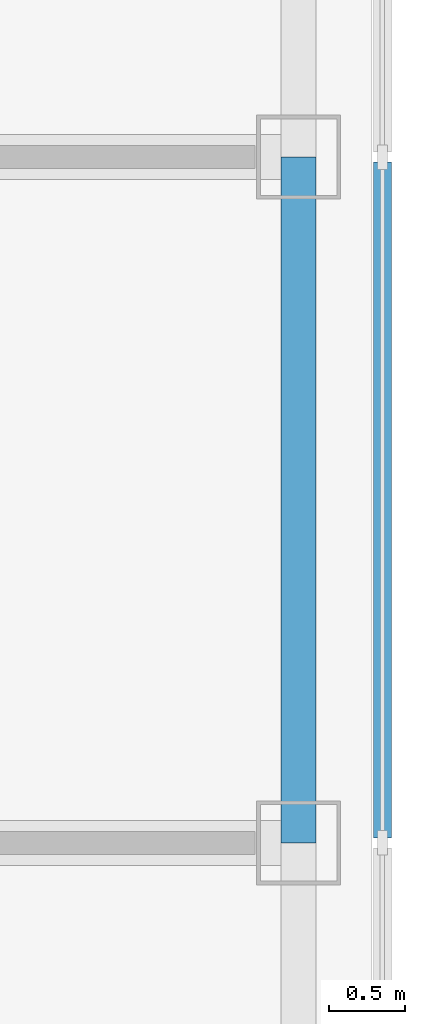
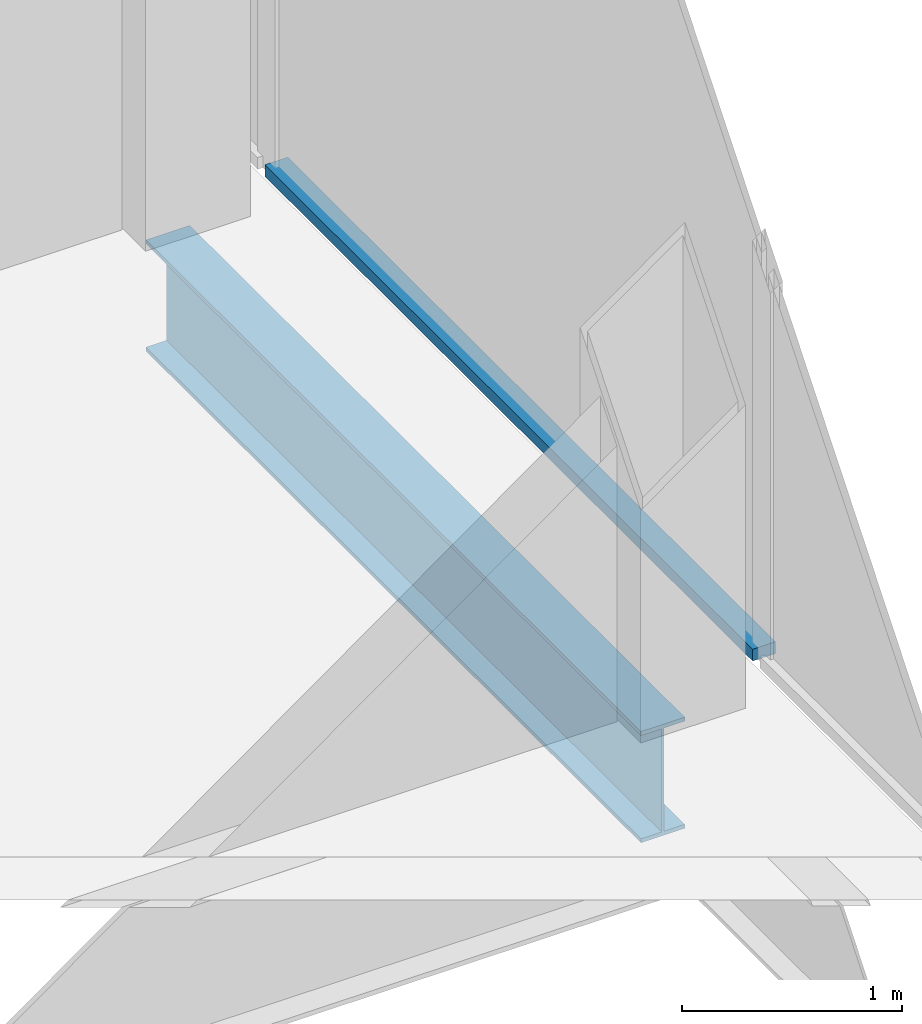
# One storey, part 5 of 14: 1 beam, 1 member, 1 element without a shape of its own.
"""IFC4 building model written with IfcOpenShell, lengths in metres."""

from ifc_helpers import new_model, si_unit, direction, frame, origin, origin_2d, place, context, subcontext, project, spatial, rectangle, i_section, extrude, material, material_profile, profile_set, type_object, element, aggregate, save


model = new_model("IFC4")

# Units and contexts
model_context = context("Model", 3, precision=1e-05, world=origin(), true_north=direction((0.0, 1.0)))
body_context = subcontext(model_context, "Body", "Model", "MODEL_VIEW")
ifc_project = project(units=[si_unit("LENGTHUNIT", "METRE"), si_unit("AREAUNIT", "SQUARE_METRE"), si_unit("VOLUMEUNIT", "CUBIC_METRE"), si_unit("PLANEANGLEUNIT", "RADIAN"), si_unit("MASSUNIT", "GRAM", prefix="KILO")], contexts=[model_context])

# Site, building, storey
site_placement = place(None, origin())
site = spatial("IfcSite", under=ifc_project, at=site_placement, CompositionType="ELEMENT")
building_placement = place(site_placement, origin())
building = spatial("IfcBuilding", under=site, at=building_placement, Name="Corais Broadcast Tower", CompositionType="ELEMENT")
storey_placement = place(building_placement, frame((0.0, 0.0, 294.60009765625)))
storey = spatial("IfcBuildingStorey", under=building, at=storey_placement, Name="L69", CompositionType="ELEMENT", Elevation=294.60009765625)

# Beam
ifc_material_1 = material(Name="Steel ASTM A572 Grade 50", Category="steel")
ifc_material_profile_1 = material_profile(ifc_material_1, i_section(OverallWidth=0.22998046875, OverallDepth=0.616943359375, WebThickness=0.01318359375, FlangeThickness=0.022216796875, at=origin_2d()), Name="W610x140")
ifc_profile_set_1 = profile_set([ifc_material_profile_1], Name="Steel ASTM A572 Grade 50")
beam_type = type_object("IfcBeamType", Name="Spandrel W610x140", PredefinedType="BEAM", material=ifc_profile_set_1)
beam_placement = place(storey_placement, frame((54.0, 27.0, -0.468505859375), z_axis=(0.0, 1.0, 0.0), x_axis=(-1.0, 0.0, 0.0)))
element("IfcBeam", 1, at=beam_placement, inside=storey, type_object=beam_type, Name="SB3 G/15 to H/15", PredefinedType="BEAM", context=body_context, shape_type="SweptSolid", body=[
    extrude(i_section(OverallWidth=0.22998046875, OverallDepth=0.616943359375, WebThickness=0.01318359375, FlangeThickness=0.022216796875, at=origin_2d()), origin(), (0.0, 0.0, 1.0), 4.5),
])

# Curtain wall, member
ifc_material_2 = material(Name="Aluminium and glass", Category="aluminium")
curtain_wall_type = type_object("IfcCurtainWallType", Name="Unitised fritted curtain wall CW3", PredefinedType="NOTDEFINED", material=ifc_material_2)
curtain_wall_placement = place(storey_placement, origin())
curtain_wall = element("IfcCurtainWall", 2, at=curtain_wall_placement, inside=storey, type_object=curtain_wall_type, Name="CW3 curtain wall L69 6", PredefinedType="NOTDEFINED")
ifc_material_3 = material(Name="Aluminium 6063-T6", Category="aluminium")
ifc_material_profile_2 = material_profile(ifc_material_3, rectangle(XDim=0.1201171875, YDim=0.06494140625, at=origin_2d()), Name="Transom CW3 65x120")
ifc_profile_set_2 = profile_set([ifc_material_profile_2], Name="Aluminium 6063-T6")
member_type = type_object("IfcMemberType", Name="Transom CW3 65x120", PredefinedType="USERDEFINED", material=ifc_profile_set_2)
member_placement = place(storey_placement, frame((54.550048828125, 31.467529296875, 0.032470703125), z_axis=(0.0, -1.0, 0.0), x_axis=(1.0, 0.0, 0.0)))
member = element("IfcMember", 3, at=member_placement, type_object=member_type, Name="CW3 transom 3.1", ObjectType="TRANSOM", PredefinedType="USERDEFINED", context=body_context, shape_type="SweptSolid", body=[
    extrude(rectangle(XDim=0.1201171875, YDim=0.06494140625, at=origin_2d()), origin(), (0.0, 0.0, 1.0), 4.43505859375),
])
aggregate(curtain_wall, [member])

save(model, "model.ifc")
